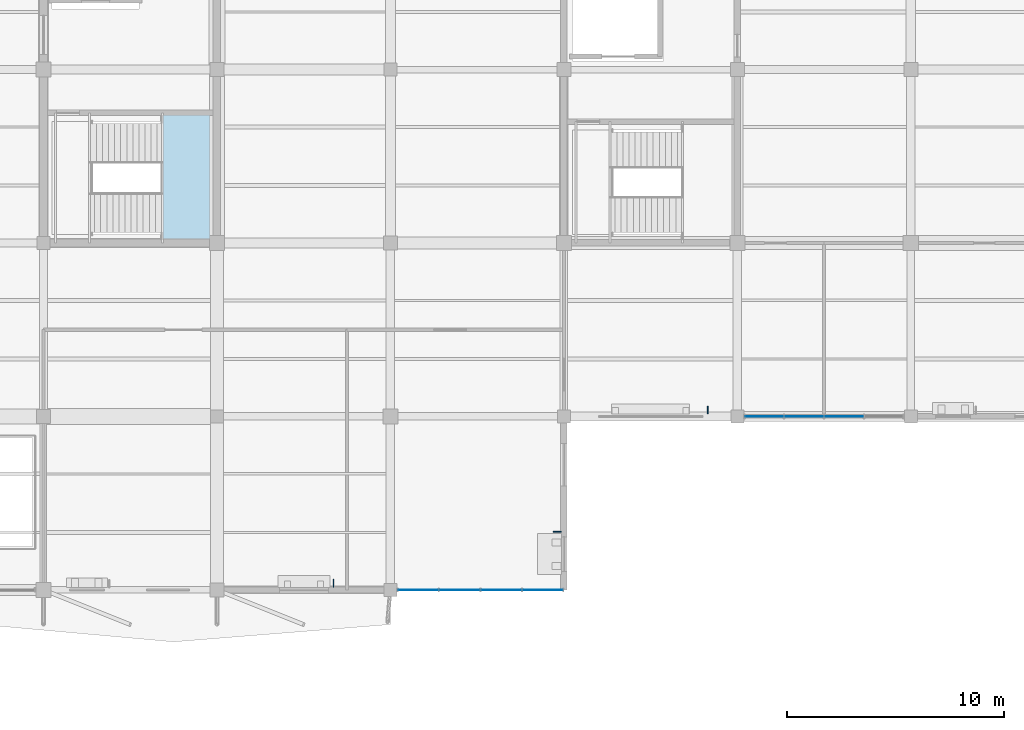
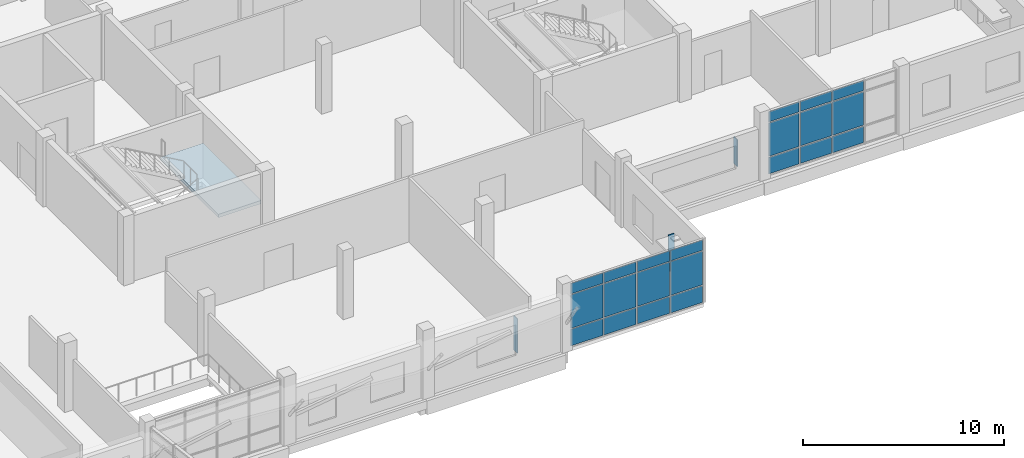
# One storey, part 61 of 84: 24 plates, 1 slab, 3 elements without a shape of their own.
"""IFC4 building model written with IfcOpenShell, lengths in metres."""

from ifc_helpers import new_model, si_unit, direction, frame, origin, origin_2d, place, context, subcontext, project, spatial, polyline, rectangle, outline, extrude, material, layer, layer_set, type_object, element, aggregate, save


model = new_model("IFC4")

# Units and contexts
model_context = context("Model", 3, precision=1e-05, world=origin(), true_north=direction((0.0, 1.0)))
body_context = subcontext(model_context, "Body", "Model", "MODEL_VIEW")
ifc_project = project(units=[si_unit("LENGTHUNIT", "METRE"), si_unit("AREAUNIT", "SQUARE_METRE"), si_unit("VOLUMEUNIT", "CUBIC_METRE"), si_unit("PLANEANGLEUNIT", "RADIAN"), si_unit("MASSUNIT", "GRAM", prefix="KILO")], contexts=[model_context])

# Site, building, storey
site_placement = place(None, origin())
site = spatial("IfcSite", under=ifc_project, at=site_placement, CompositionType="ELEMENT")
building_placement = place(site_placement, origin())
building = spatial("IfcBuilding", under=site, at=building_placement, Name="Tenunan Teduh Sports Hall", CompositionType="ELEMENT")
storey_placement = place(building_placement, frame((0.0, 0.0, 10.800048828125)))
storey = spatial("IfcBuildingStorey", under=building, at=storey_placement, Name="L02", CompositionType="ELEMENT", Elevation=10.800048828125)

# Curtain wall, plates
ifc_material_1 = material(Name="Anodised aluminium", Category="aluminium")
curtain_wall_type = type_object("IfcCurtainWallType", Name="CW-UNIT-2", PredefinedType="NOTDEFINED", material=ifc_material_1)
curtain_wall_1_placement = place(storey_placement, origin())
curtain_wall_1 = element("IfcCurtainWall", 1, at=curtain_wall_1_placement, inside=storey, type_object=curtain_wall_type, Name="CW-CWM-200-L02-212", PredefinedType="NOTDEFINED")
ifc_material_2 = material(Name="Low-E laminated double glazing", Category="glass")
ifc_layer_1 = layer(ifc_material_2, 0.028076171875)
ifc_layer_set_1 = layer_set([ifc_layer_1], Name="Low-E laminated double glazing")
plate_type_1 = type_object("IfcPlateType", Name="CWP-GLZ-28", PredefinedType="CURTAIN_PANEL", material=ifc_layer_set_1)
plate_1_placement = place(storey_placement, frame((63.242431640625, 86.0, 1.134765625), z_axis=(0.0, 0.0, 1.0), x_axis=(1.0, 0.0, 0.0)))
plate_1 = element("IfcPlate", 2, at=plate_1_placement, type_object=plate_type_1, Name="CW-02 panel 1.2", PredefinedType="CURTAIN_PANEL", context=body_context, shape_type="SweptSolid", body=[
    extrude(rectangle(XDim=1.7451171875, YDim=0.028076171875, at=origin_2d()), origin(), (0.0, 0.0, 1.0), 2.030029296875),
])
plate_2_placement = place(storey_placement, frame((63.242431640625, 86.0, 3.23486328125), z_axis=(0.0, 0.0, 1.0), x_axis=(1.0, 0.0, 0.0)))
plate_2 = element("IfcPlate", 3, at=plate_2_placement, type_object=plate_type_1, Name="CW-02 panel 1.3", PredefinedType="CURTAIN_PANEL", context=body_context, shape_type="SweptSolid", body=[
    extrude(rectangle(XDim=1.7451171875, YDim=0.028076171875, at=origin_2d()), origin(), (0.0, 0.0, 1.0), 0.614990234375),
])
plate_3_placement = place(storey_placement, frame((65.074951171875, 86.0, 1.134765625), z_axis=(0.0, 0.0, 1.0), x_axis=(1.0, 0.0, 0.0)))
plate_3 = element("IfcPlate", 4, at=plate_3_placement, type_object=plate_type_1, Name="CW-02 panel 2.2", PredefinedType="CURTAIN_PANEL", context=body_context, shape_type="SweptSolid", body=[
    extrude(rectangle(XDim=1.780029296875, YDim=0.028076171875, at=origin_2d()), origin(), (0.0, 0.0, 1.0), 2.030029296875),
])
plate_4_placement = place(storey_placement, frame((65.074951171875, 86.0, 3.23486328125), z_axis=(0.0, 0.0, 1.0), x_axis=(1.0, 0.0, 0.0)))
plate_4 = element("IfcPlate", 5, at=plate_4_placement, type_object=plate_type_1, Name="CW-02 panel 2.3", PredefinedType="CURTAIN_PANEL", context=body_context, shape_type="SweptSolid", body=[
    extrude(rectangle(XDim=1.780029296875, YDim=0.028076171875, at=origin_2d()), origin(), (0.0, 0.0, 1.0), 0.614990234375),
])
plate_5_placement = place(storey_placement, frame((66.925048828125, 86.0, 1.134765625), z_axis=(0.0, 0.0, 1.0), x_axis=(1.0, 0.0, 0.0)))
plate_5 = element("IfcPlate", 6, at=plate_5_placement, type_object=plate_type_1, Name="CW-02 panel 3.2", PredefinedType="CURTAIN_PANEL", context=body_context, shape_type="SweptSolid", body=[
    extrude(rectangle(XDim=1.780029296875, YDim=0.028076171875, at=origin_2d()), origin(), (0.0, 0.0, 1.0), 2.030029296875),
])
plate_6_placement = place(storey_placement, frame((66.925048828125, 86.0, 3.23486328125), z_axis=(0.0, 0.0, 1.0), x_axis=(1.0, 0.0, 0.0)))
plate_6 = element("IfcPlate", 7, at=plate_6_placement, type_object=plate_type_1, Name="CW-02 panel 3.3", PredefinedType="CURTAIN_PANEL", context=body_context, shape_type="SweptSolid", body=[
    extrude(rectangle(XDim=1.780029296875, YDim=0.028076171875, at=origin_2d()), origin(), (0.0, 0.0, 1.0), 0.614990234375),
])

curtain_wall_2_placement = place(storey_placement, origin())
curtain_wall_2 = element("IfcCurtainWall", 8, at=curtain_wall_2_placement, inside=storey, type_object=curtain_wall_type, Name="CW-CWM-150-L02-211", PredefinedType="NOTDEFINED")
ifc_material_3 = material(Name="Solar-control laminated glazing", Category="glass")
ifc_layer_2 = layer(ifc_material_3, 0.031982421875)
ifc_layer_set_2 = layer_set([ifc_layer_2], Name="Solar-control laminated glazing")
plate_type_2 = type_object("IfcPlateType", Name="CWP-GLZ-32", PredefinedType="CURTAIN_PANEL", material=ifc_layer_set_2)
plate_7_placement = place(storey_placement, frame((47.277587890625, 78.0, 1.1298828125), z_axis=(0.0, 0.0, 1.0), x_axis=(1.0, 0.0, 0.0)))
plate_7 = element("IfcPlate", 9, at=plate_7_placement, type_object=plate_type_2, Name="CW-02 panel 1.2", PredefinedType="CURTAIN_PANEL", context=body_context, shape_type="SweptSolid", body=[
    extrude(rectangle(XDim=1.8349609375, YDim=0.031982421875, at=origin_2d()), origin(), (0.0, 0.0, 1.0), 2.0400390625),
])
plate_8_placement = place(storey_placement, frame((47.277587890625, 78.0, 3.22998046875), z_axis=(0.0, 0.0, 1.0), x_axis=(1.0, 0.0, 0.0)))
plate_8 = element("IfcPlate", 10, at=plate_8_placement, type_object=plate_type_2, Name="CW-02 panel 1.3", PredefinedType="CURTAIN_PANEL", context=body_context, shape_type="SweptSolid", body=[
    extrude(rectangle(XDim=1.8349609375, YDim=0.031982421875, at=origin_2d()), origin(), (0.0, 0.0, 1.0), 0.6298828125),
])
plate_9_placement = place(storey_placement, frame((49.1875, 78.0, 1.1298828125), z_axis=(0.0, 0.0, 1.0), x_axis=(1.0, 0.0, 0.0)))
plate_9 = element("IfcPlate", 11, at=plate_9_placement, type_object=plate_type_2, Name="CW-02 panel 2.2", PredefinedType="CURTAIN_PANEL", context=body_context, shape_type="SweptSolid", body=[
    extrude(rectangle(XDim=1.864990234375, YDim=0.031982421875, at=origin_2d()), origin(), (0.0, 0.0, 1.0), 2.0400390625),
])
plate_10_placement = place(storey_placement, frame((49.1875, 78.0, 3.22998046875), z_axis=(0.0, 0.0, 1.0), x_axis=(1.0, 0.0, 0.0)))
plate_10 = element("IfcPlate", 12, at=plate_10_placement, type_object=plate_type_2, Name="CW-02 panel 2.3", PredefinedType="CURTAIN_PANEL", context=body_context, shape_type="SweptSolid", body=[
    extrude(rectangle(XDim=1.864990234375, YDim=0.031982421875, at=origin_2d()), origin(), (0.0, 0.0, 1.0), 0.6298828125),
])
plate_11_placement = place(storey_placement, frame((51.112548828125, 78.0, 1.1298828125), z_axis=(0.0, 0.0, 1.0), x_axis=(1.0, 0.0, 0.0)))
plate_11 = element("IfcPlate", 13, at=plate_11_placement, type_object=plate_type_2, Name="CW-02 panel 3.2", PredefinedType="CURTAIN_PANEL", context=body_context, shape_type="SweptSolid", body=[
    extrude(rectangle(XDim=1.864990234375, YDim=0.031982421875, at=origin_2d()), origin(), (0.0, 0.0, 1.0), 2.0400390625),
])
plate_12_placement = place(storey_placement, frame((51.112548828125, 78.0, 3.22998046875), z_axis=(0.0, 0.0, 1.0), x_axis=(1.0, 0.0, 0.0)))
plate_12 = element("IfcPlate", 14, at=plate_12_placement, type_object=plate_type_2, Name="CW-02 panel 3.3", PredefinedType="CURTAIN_PANEL", context=body_context, shape_type="SweptSolid", body=[
    extrude(rectangle(XDim=1.864990234375, YDim=0.031982421875, at=origin_2d()), origin(), (0.0, 0.0, 1.0), 0.6298828125),
])
plate_13_placement = place(storey_placement, frame((53.0224609375, 78.0, 1.1298828125), z_axis=(0.0, 0.0, 1.0), x_axis=(1.0, 0.0, 0.0)))
plate_13 = element("IfcPlate", 15, at=plate_13_placement, type_object=plate_type_2, Name="CW-02 panel 4.2", PredefinedType="CURTAIN_PANEL", context=body_context, shape_type="SweptSolid", body=[
    extrude(rectangle(XDim=1.8349609375, YDim=0.031982421875, at=origin_2d()), origin(), (0.0, 0.0, 1.0), 2.0400390625),
])
plate_14_placement = place(storey_placement, frame((53.0224609375, 78.0, 3.22998046875), z_axis=(0.0, 0.0, 1.0), x_axis=(1.0, 0.0, 0.0)))
plate_14 = element("IfcPlate", 16, at=plate_14_placement, type_object=plate_type_2, Name="CW-02 panel 4.3", PredefinedType="CURTAIN_PANEL", context=body_context, shape_type="SweptSolid", body=[
    extrude(rectangle(XDim=1.8349609375, YDim=0.031982421875, at=origin_2d()), origin(), (0.0, 0.0, 1.0), 0.6298828125),
])
ifc_material_4 = material(Name="Insulated aluminium spandrel panel", Category="aluminium")
ifc_layer_3 = layer(ifc_material_4, 0.044921875)
ifc_layer_set_3 = layer_set([ifc_layer_3], Name="Insulated aluminium spandrel panel")
plate_type_3 = type_object("IfcPlateType", Name="CWP-SPN-45", PredefinedType="CURTAIN_PANEL", material=ifc_layer_set_3)
plate_15_placement = place(storey_placement, frame((47.277587890625, 78.0, 0.06005859375), z_axis=(0.0, 0.0, 1.0), x_axis=(1.0, 0.0, 0.0)))
plate_15 = element("IfcPlate", 17, at=plate_15_placement, type_object=plate_type_3, Name="CW-02 panel 1.1", PredefinedType="CURTAIN_PANEL", context=body_context, shape_type="SweptSolid", body=[
    extrude(rectangle(XDim=1.8349609375, YDim=0.031982421875, at=origin_2d()), origin(), (0.0, 0.0, 1.0), 1.010009765625),
])
plate_16_placement = place(storey_placement, frame((49.1875, 78.0, 0.06005859375), z_axis=(0.0, 0.0, 1.0), x_axis=(1.0, 0.0, 0.0)))
plate_16 = element("IfcPlate", 18, at=plate_16_placement, type_object=plate_type_3, Name="CW-02 panel 2.1", PredefinedType="CURTAIN_PANEL", context=body_context, shape_type="SweptSolid", body=[
    extrude(rectangle(XDim=1.864990234375, YDim=0.031982421875, at=origin_2d()), origin(), (0.0, 0.0, 1.0), 1.010009765625),
])
plate_17_placement = place(storey_placement, frame((51.112548828125, 78.0, 0.06005859375), z_axis=(0.0, 0.0, 1.0), x_axis=(1.0, 0.0, 0.0)))
plate_17 = element("IfcPlate", 19, at=plate_17_placement, type_object=plate_type_3, Name="CW-02 panel 3.1", PredefinedType="CURTAIN_PANEL", context=body_context, shape_type="SweptSolid", body=[
    extrude(rectangle(XDim=1.864990234375, YDim=0.031982421875, at=origin_2d()), origin(), (0.0, 0.0, 1.0), 1.010009765625),
])
plate_18_placement = place(storey_placement, frame((53.0224609375, 78.0, 0.06005859375), z_axis=(0.0, 0.0, 1.0), x_axis=(1.0, 0.0, 0.0)))
plate_18 = element("IfcPlate", 20, at=plate_18_placement, type_object=plate_type_3, Name="CW-02 panel 4.1", PredefinedType="CURTAIN_PANEL", context=body_context, shape_type="SweptSolid", body=[
    extrude(rectangle(XDim=1.8349609375, YDim=0.031982421875, at=origin_2d()), origin(), (0.0, 0.0, 1.0), 1.010009765625),
])
aggregate(curtain_wall_2, [plate_15, plate_7, plate_8, plate_16, plate_9, plate_10, plate_17, plate_11, plate_12, plate_18, plate_13, plate_14])

# Plate
plate_19_placement = place(storey_placement, frame((63.242431640625, 86.0, 0.06982421875), z_axis=(0.0, 0.0, 1.0), x_axis=(1.0, 0.0, 0.0)))
plate_19 = element("IfcPlate", 21, at=plate_19_placement, type_object=plate_type_3, Name="CW-02 panel 1.1", PredefinedType="CURTAIN_PANEL", context=body_context, shape_type="SweptSolid", body=[
    extrude(rectangle(XDim=1.7451171875, YDim=0.028076171875, at=origin_2d()), origin(), (0.0, 0.0, 1.0), 0.9951171875),
])

plate_20_placement = place(storey_placement, frame((65.074951171875, 86.0, 0.06982421875), z_axis=(0.0, 0.0, 1.0), x_axis=(1.0, 0.0, 0.0)))
plate_20 = element("IfcPlate", 22, at=plate_20_placement, type_object=plate_type_3, Name="CW-02 panel 2.1", PredefinedType="CURTAIN_PANEL", context=body_context, shape_type="SweptSolid", body=[
    extrude(rectangle(XDim=1.780029296875, YDim=0.028076171875, at=origin_2d()), origin(), (0.0, 0.0, 1.0), 0.9951171875),
])

plate_21_placement = place(storey_placement, frame((66.925048828125, 86.0, 0.06982421875), z_axis=(0.0, 0.0, 1.0), x_axis=(1.0, 0.0, 0.0)))
plate_21 = element("IfcPlate", 23, at=plate_21_placement, type_object=plate_type_3, Name="CW-02 panel 3.1", PredefinedType="CURTAIN_PANEL", context=body_context, shape_type="SweptSolid", body=[
    extrude(rectangle(XDim=1.780029296875, YDim=0.028076171875, at=origin_2d()), origin(), (0.0, 0.0, 1.0), 0.9951171875),
])

aggregate(curtain_wall_1, [plate_19, plate_1, plate_2, plate_20, plate_3, plate_4, plate_21, plate_5, plate_6])

# Plates
ifc_material_5 = material(Name="Anodised aluminium", Category="aluminium")
ifc_layer_4 = layer(ifc_material_5, 1.89990234375)
ifc_layer_set_4 = layer_set([ifc_layer_4], Name="Anodised aluminium")
plate_type_4 = type_object("IfcPlateType", Name="PLT-FIN-1", PredefinedType="SHEET", material=ifc_layer_set_4)
plate_22_placement = place(storey_placement, frame((43.375, 78.300048828125, 0.580078125), z_axis=(0.0, 0.0, 1.0), x_axis=(1.0, 0.0, 0.0)))
element("IfcPlate", 24, at=plate_22_placement, inside=storey, type_object=plate_type_4, Name="PLT-FIN-L02-040", PredefinedType="SHEET", context=body_context, shape_type="SweptSolid", body=[
    extrude(rectangle(XDim=0.0400390625, YDim=0.360107421875, at=origin_2d()), origin(), (0.0, 0.0, 1.0), 2.090087890625),
])
plate_23_placement = place(storey_placement, frame((53.695068359375, 80.68994140625, 0.43017578125), z_axis=(0.0, 0.0, 1.0), x_axis=(0.0, 1.0, 0.0)))
element("IfcPlate", 25, at=plate_23_placement, inside=storey, type_object=plate_type_4, Name="PLT-FIN-L02-041", PredefinedType="SHEET", context=body_context, shape_type="SweptSolid", body=[
    extrude(rectangle(XDim=0.0400390625, YDim=0.360107421875, at=origin_2d()), origin(), (0.0, 0.0, 1.0), 2.239990234375),
])
plate_24_placement = place(storey_placement, frame((60.639892578125, 86.300048828125, 1.02978515625), z_axis=(0.0, 0.0, 1.0), x_axis=(1.0, 0.0, 0.0)))
element("IfcPlate", 26, at=plate_24_placement, inside=storey, type_object=plate_type_4, Name="PLT-FIN-L02-042", PredefinedType="SHEET", context=body_context, shape_type="SweptSolid", body=[
    extrude(rectangle(XDim=0.0400390625, YDim=0.360107421875, at=origin_2d()), origin(), (0.0, 0.0, 1.0), 1.639892578125),
])

# Stair, slab
ifc_material_6 = material(Name="Precast concrete C40/50", Category="concrete")
stair_type = type_object("IfcStairType", Name="STR-CORE-54", PredefinedType="HALF_TURN_STAIR", material=ifc_material_6)
stair_placement = place(storey_placement, origin())
stair = element("IfcStair", 27, at=stair_placement, inside=storey, type_object=stair_type, Name="STR-W2-L02", PredefinedType="HALF_TURN_STAIR")
ifc_material_7 = material(Name="Precast concrete C40/50", Category="concrete")
ifc_layer_5 = layer(ifc_material_7, 0.199951171875)
ifc_layer_set_5 = layer_set([ifc_layer_5], Name="Precast concrete C40/50")
slab_type = type_object("IfcSlabType", Name="SLB-LND-200", PredefinedType="LANDING", material=ifc_layer_set_5)
slab_placement = place(storey_placement, frame((0.0, 0.0, 1.89990234375)))
slab = element("IfcSlab", 28, at=slab_placement, type_object=slab_type, Name="ST-09 landing 1", PredefinedType="LANDING", context=body_context, shape_type="SweptSolid", body=[
    extrude(outline(polyline([(35.39990234375, 94.139892578125), (37.860107421875, 94.139892578125), (37.860107421875, 99.89990234375), (35.39990234375, 99.89990234375), (35.39990234375, 94.139892578125)])), origin(), (0.0, 0.0, 1.0), 0.199951171875),
])
aggregate(stair, [slab])

save(model, "model.ifc")
